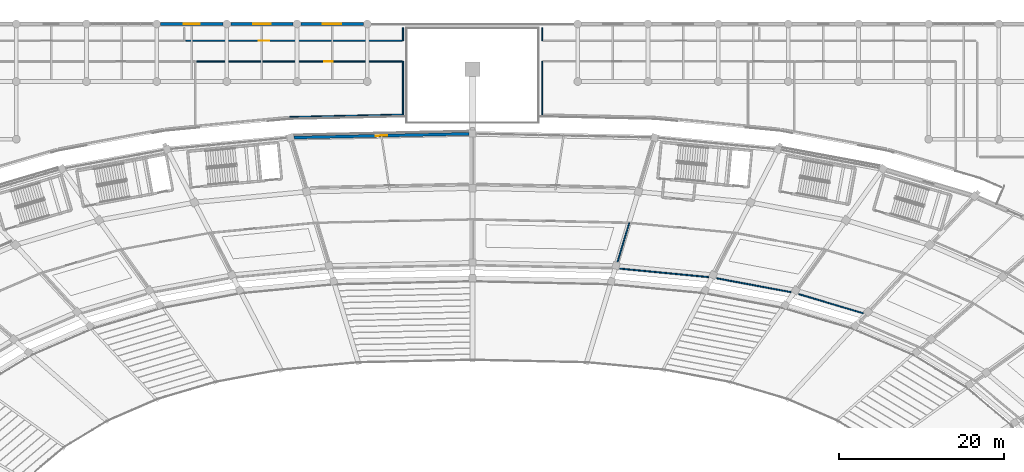
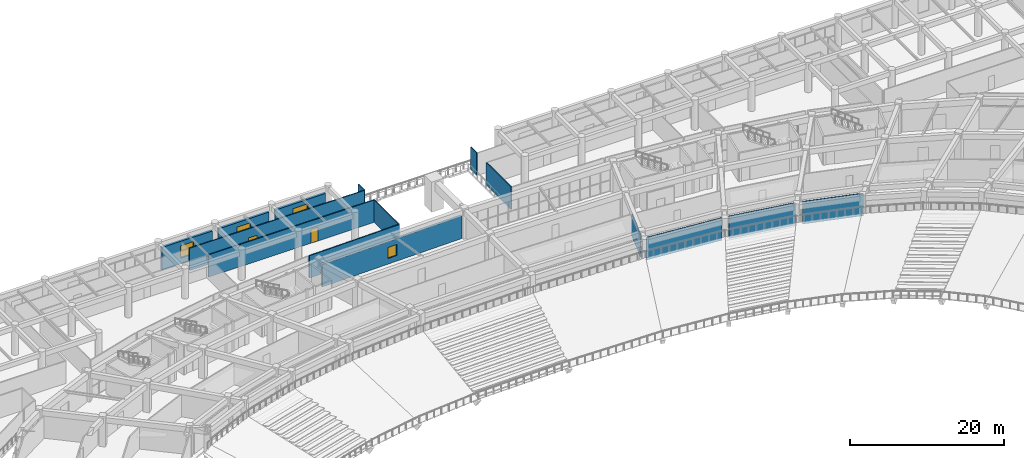
# One storey, part 113 of 152: 15 walls, 4 windows, 2 doors, 6 openings.
"""IFC4 building model written with IfcOpenShell, lengths in metres."""

from ifc_helpers import new_model, si_unit, direction, frame, frame_2d, origin, place, context, subcontext, project, spatial, rectangle, extrude, material, layer, layer_set, type_object, element, fill, save


model = new_model("IFC4")

# Units and contexts
model_context = context("Model", 3, precision=1e-05, world=origin(), true_north=direction((0.0, 1.0)))
body_context = subcontext(model_context, "Body", "Model", "MODEL_VIEW")
ifc_project = project(units=[si_unit("LENGTHUNIT", "METRE"), si_unit("AREAUNIT", "SQUARE_METRE"), si_unit("VOLUMEUNIT", "CUBIC_METRE"), si_unit("PLANEANGLEUNIT", "RADIAN"), si_unit("MASSUNIT", "GRAM", prefix="KILO")], contexts=[model_context])

# Site, building, storey
site_placement = place(None, origin())
site = spatial("IfcSite", under=ifc_project, at=site_placement, CompositionType="ELEMENT")
building_placement = place(site_placement, origin())
building = spatial("IfcBuilding", under=site, at=building_placement, Name="Mphavela Belvedere Stadium", CompositionType="ELEMENT")
storey_placement = place(building_placement, frame((0.0, 0.0, 5.39990234375)))
storey = spatial("IfcBuildingStorey", under=building, at=storey_placement, Name="L01", CompositionType="ELEMENT", Elevation=5.39990234375)

# Wall, opening, window
ifc_material_1 = material(Name="Honed ashlar limestone masonry", Category="masonry")
ifc_layer_1 = layer(ifc_material_1, 0.35009765625)
ifc_layer_set_1 = layer_set([ifc_layer_1], Name="Honed ashlar limestone masonry")
wall_type_1 = type_object("IfcWallType", Name="WAL-EXT-ASHLAR-350", PredefinedType="STANDARD", material=ifc_layer_set_1)
wall_1_placement = place(storey_placement, frame((114.5771484375, 160.660888671875, 0.0), z_axis=(0.0, 0.0, 1.0), x_axis=(-0.999768218464, -0.021529267282, 0.0)))
wall_1 = element("IfcWall", 1, at=wall_1_placement, inside=storey, type_object=wall_type_1, Name="Classical ashlar facade wall L01-13", PredefinedType="STANDARD", context=body_context, shape_type="SweptSolid", body=[
    extrude(rectangle(XDim=21.273681640625, YDim=0.35009765625, at=frame_2d((10.63671875, 0.0))), origin(), (0.0, 0.0, 1.0), 3.570068359375),
])
opening_1_placement = place(wall_1_placement, frame((9.947021484375, 0.0, 0.89990234375)))
opening_1 = element("IfcOpeningElement", 2, at=opening_1_placement, cuts=wall_1, Name="Opening W-014", PredefinedType="OPENING", context=body_context, shape_type="SweptSolid", body=[
    extrude(rectangle(XDim=1.3798828125, YDim=1.75, at=frame_2d((0.68994140625, 0.875))), frame((0.0, 0.18505859375, 0.0), z_axis=(0.0, -1.0, 0.0), x_axis=(1.0, 0.0, 0.0)), (0.0, 0.0, 1.0), 0.3701171875),
])
ifc_material_2 = material(Name="Bronze-anodised thermally broken aluminium window", Category="aluminium")
window_type_1 = type_object("IfcWindowType", Name="WIN-EXT-14", PartitioningType="SINGLE_PANEL", PredefinedType="WINDOW", material=ifc_material_2)
window_1_placement = place(opening_1_placement, origin())
window_1 = element("IfcWindow", 3, at=window_1_placement, inside=storey, type_object=window_type_1, Name="Belvedere gallery window W-014", OverallHeight=1.75, OverallWidth=1.3798828125, PartitioningType="SINGLE_PANEL", PredefinedType="WINDOW", context=body_context, shape_type="SweptSolid", body=[
    extrude(rectangle(XDim=1.3798828125, YDim=1.75, at=frame_2d((0.68994140625, 0.875))), frame((0.0, 0.030029296875, 0.0), z_axis=(0.0, -1.0, 0.0), x_axis=(1.0, 0.0, 0.0)), (0.0, 0.0, 1.0), 0.06005859375),
])
fill(opening_1, window_1)

wall_2_placement = place(storey_placement, frame((77.139892578125, 174.0, 0.0), z_axis=(0.0, 0.0, 1.0), x_axis=(1.0, 0.0, 0.0)))
wall_2 = element("IfcWall", 4, at=wall_2_placement, inside=storey, type_object=wall_type_1, Name="North Mast and Ceremonial End Forecourt outer facade bay L01-10", PredefinedType="STANDARD", context=body_context, shape_type="SweptSolid", body=[
    extrude(rectangle(XDim=7.572021484375, YDim=0.35009765625, at=frame_2d((3.7861328125, 0.0))), origin(), (0.0, 0.0, 1.0), 3.56005859375),
])
opening_2_placement = place(wall_2_placement, frame((2.81591796875, 0.0, 0.89990234375)))
opening_2 = element("IfcOpeningElement", 5, at=opening_2_placement, cuts=wall_2, Name="Opening W-161", PredefinedType="OPENING", context=body_context, shape_type="SweptSolid", body=[
    extrude(rectangle(XDim=1.93994140625, YDim=1.949951171875, at=frame_2d((0.969970703125, 0.97509765625))), frame((0.0, 0.18505859375, 0.0), z_axis=(0.0, -1.0, 0.0), x_axis=(1.0, 0.0, 0.0)), (0.0, 0.0, 1.0), 0.3701171875),
])
ifc_material_3 = material(Name="Bronze-anodised thermally broken aluminium window", Category="aluminium")
window_type_2 = type_object("IfcWindowType", Name="WIN-EXT-29", PartitioningType="SINGLE_PANEL", PredefinedType="WINDOW", material=ifc_material_3)
window_2_placement = place(opening_2_placement, origin())
window_2 = element("IfcWindow", 6, at=window_2_placement, inside=storey, type_object=window_type_2, Name="North Mast and Ceremonial End Forecourt classical window W-161", OverallHeight=1.949951171875, OverallWidth=1.93994140625, PartitioningType="SINGLE_PANEL", PredefinedType="WINDOW", context=body_context, shape_type="SweptSolid", body=[
    extrude(rectangle(XDim=1.93994140625, YDim=1.949951171875, at=frame_2d((0.969970703125, 0.97509765625))), frame((0.0, 0.030029296875, 0.0), z_axis=(0.0, -1.0, 0.0), x_axis=(1.0, 0.0, 0.0)), (0.0, 0.0, 1.0), 0.06005859375),
])
fill(opening_2, window_2)

wall_3_placement = place(storey_placement, frame((85.657958984375, 174.0, 0.0), z_axis=(0.0, 0.0, 1.0), x_axis=(1.0, 0.0, 0.0)))
wall_3 = element("IfcWall", 7, at=wall_3_placement, inside=storey, type_object=wall_type_1, Name="North Mast and Ceremonial End Forecourt outer facade bay L01-11", PredefinedType="STANDARD", context=body_context, shape_type="SweptSolid", body=[
    extrude(rectangle(XDim=7.572998046875, YDim=0.35009765625, at=frame_2d((3.78662109375, 0.0))), origin(), (0.0, 0.0, 1.0), 3.56005859375),
])
opening_3_placement = place(wall_3_placement, frame((2.74658203125, 0.0, 0.89990234375)))
opening_3 = element("IfcOpeningElement", 8, at=opening_3_placement, cuts=wall_3, Name="Opening W-162", PredefinedType="OPENING", context=body_context, shape_type="SweptSolid", body=[
    extrude(rectangle(XDim=2.080078125, YDim=1.949951171875, at=frame_2d((1.0400390625, 0.97509765625))), frame((0.0, 0.18505859375, 0.0), z_axis=(0.0, -1.0, 0.0), x_axis=(1.0, 0.0, 0.0)), (0.0, 0.0, 1.0), 0.3701171875),
])
ifc_material_4 = material(Name="Bronze-anodised thermally broken aluminium window", Category="aluminium")
window_type_3 = type_object("IfcWindowType", Name="WIN-EXT-30", PartitioningType="SINGLE_PANEL", PredefinedType="WINDOW", material=ifc_material_4)
window_3_placement = place(opening_3_placement, origin())
window_3 = element("IfcWindow", 9, at=window_3_placement, inside=storey, type_object=window_type_3, Name="North Mast and Ceremonial End Forecourt classical window W-162", OverallHeight=1.949951171875, OverallWidth=2.080078125, PartitioningType="SINGLE_PANEL", PredefinedType="WINDOW", context=body_context, shape_type="SweptSolid", body=[
    extrude(rectangle(XDim=2.080078125, YDim=1.949951171875, at=frame_2d((1.0400390625, 0.97509765625))), frame((0.0, 0.030029296875, 0.0), z_axis=(0.0, -1.0, 0.0), x_axis=(1.0, 0.0, 0.0)), (0.0, 0.0, 1.0), 0.06005859375),
])
fill(opening_3, window_3)

wall_4_placement = place(storey_placement, frame((94.177001953125, 174.0, 0.0), z_axis=(0.0, 0.0, 1.0), x_axis=(1.0, 0.0, 0.0)))
wall_4 = element("IfcWall", 10, at=wall_4_placement, inside=storey, type_object=wall_type_1, Name="North Mast and Ceremonial End Forecourt outer facade bay L01-12", PredefinedType="STANDARD", context=body_context, shape_type="SweptSolid", body=[
    extrude(rectangle(XDim=7.572021484375, YDim=0.35009765625, at=frame_2d((3.7861328125, 0.0))), origin(), (0.0, 0.0, 1.0), 3.56005859375),
])
opening_4_placement = place(wall_4_placement, frame((2.676025390625, 0.0, 0.89990234375)))
opening_4 = element("IfcOpeningElement", 11, at=opening_4_placement, cuts=wall_4, Name="Opening W-163", PredefinedType="OPENING", context=body_context, shape_type="SweptSolid", body=[
    extrude(rectangle(XDim=2.219970703125, YDim=1.949951171875, at=frame_2d((1.10986328125, 0.97509765625))), frame((0.0, 0.18505859375, 0.0), z_axis=(0.0, -1.0, 0.0), x_axis=(1.0, 0.0, 0.0)), (0.0, 0.0, 1.0), 0.3701171875),
])
ifc_material_5 = material(Name="Bronze-anodised thermally broken aluminium window", Category="aluminium")
window_type_4 = type_object("IfcWindowType", Name="WIN-EXT-31", PartitioningType="SINGLE_PANEL", PredefinedType="WINDOW", material=ifc_material_5)
window_4_placement = place(opening_4_placement, origin())
window_4 = element("IfcWindow", 12, at=window_4_placement, inside=storey, type_object=window_type_4, Name="North Mast and Ceremonial End Forecourt classical window W-163", OverallHeight=1.949951171875, OverallWidth=2.219970703125, PartitioningType="SINGLE_PANEL", PredefinedType="WINDOW", context=body_context, shape_type="SweptSolid", body=[
    extrude(rectangle(XDim=2.219970703125, YDim=1.949951171875, at=frame_2d((1.10986328125, 0.97509765625))), frame((0.0, 0.030029296875, 0.0), z_axis=(0.0, -1.0, 0.0), x_axis=(1.0, 0.0, 0.0)), (0.0, 0.0, 1.0), 0.06005859375),
])
fill(opening_4, window_4)

# Wall, opening, door
ifc_material_6 = material(Name="Acoustic gypsum stud partition assembly")
ifc_layer_2 = layer(ifc_material_6, 0.14990234375)
ifc_layer_set_2 = layer_set([ifc_layer_2], Name="Acoustic gypsum stud partition assembly")
wall_type_2 = type_object("IfcWallType", Name="WAL-PART-150", PredefinedType="PARTITIONING", material=ifc_layer_set_2)
wall_5_placement = place(storey_placement, frame((106.5, 171.9599609375, 0.0), z_axis=(0.0, 0.0, 1.0), x_axis=(-1.0, 0.0, 0.0)))
wall_5 = element("IfcWall", 13, at=wall_5_placement, inside=storey, type_object=wall_type_2, Name="Room L01-178 corridor partition", PredefinedType="PARTITIONING", context=body_context, shape_type="SweptSolid", body=[
    extrude(rectangle(XDim=26.300048828125, YDim=0.14990234375, at=frame_2d((13.14990234375, 0.0))), origin(), (0.0, 0.0, 1.0), 3.550048828125),
])
opening_5_placement = place(wall_5_placement, frame((16.179931640625, 0.0, 0.0)))
opening_5 = element("IfcOpeningElement", 14, at=opening_5_placement, cuts=wall_5, Name="Opening ID-442", PredefinedType="OPENING", context=body_context, shape_type="SweptSolid", body=[
    extrude(rectangle(XDim=1.260009765625, YDim=2.10009765625, at=frame_2d((0.6298828125, 1.050048828125))), frame((0.0, 0.0849609375, 0.0), z_axis=(0.0, -1.0, 0.0), x_axis=(1.0, 0.0, 0.0)), (0.0, 0.0, 1.0), 0.169921875),
])
ifc_material_7 = material(Name="Hardwood acoustic timber doorset", Category="wood")
door_type_1 = type_object("IfcDoorType", Name="DR-INT-10", OperationType="NOTDEFINED", PredefinedType="DOOR", material=ifc_material_7)
door_1_placement = place(opening_5_placement, origin())
door_1 = element("IfcDoor", 15, at=door_1_placement, inside=storey, type_object=door_type_1, Name="Room L01-178 entrance door ID-442", OperationType="SINGLE_SWING_RIGHT", OverallHeight=2.10009765625, OverallWidth=1.260009765625, PredefinedType="DOOR", context=body_context, shape_type="SweptSolid", body=[
    extrude(rectangle(XDim=1.260009765625, YDim=2.10009765625, at=frame_2d((0.6298828125, 1.050048828125))), frame((0.0, 0.02490234375, 0.0), z_axis=(0.0, -1.0, 0.0), x_axis=(1.0, 0.0, 0.0)), (0.0, 0.0, 1.0), 0.050048828125),
])
fill(opening_5, door_1)

wall_6_placement = place(storey_placement, frame((81.554931640625, 169.43994140625, 0.0), z_axis=(0.0, 0.0, 1.0), x_axis=(1.0, 0.0, 0.0)))
wall_6 = element("IfcWall", 16, at=wall_6_placement, inside=storey, type_object=wall_type_2, Name="Room L01-185 corridor partition", PredefinedType="PARTITIONING", context=body_context, shape_type="SweptSolid", body=[
    extrude(rectangle(XDim=24.945068359375, YDim=0.14990234375, at=frame_2d((12.47265625, 0.0))), origin(), (0.0, 0.0, 1.0), 3.550048828125),
])
opening_6_placement = place(wall_6_placement, frame((15.42919921875, 0.0, 0.0)))
opening_6 = element("IfcOpeningElement", 17, at=opening_6_placement, cuts=wall_6, Name="Opening ID-449", PredefinedType="OPENING", context=body_context, shape_type="SweptSolid", body=[
    extrude(rectangle(XDim=1.06005859375, YDim=2.199951171875, at=frame_2d((0.530029296875, 1.10009765625))), frame((0.0, 0.0849609375, 0.0), z_axis=(0.0, -1.0, 0.0), x_axis=(1.0, 0.0, 0.0)), (0.0, 0.0, 1.0), 0.169921875),
])
ifc_material_8 = material(Name="Hardwood acoustic timber doorset", Category="wood")
door_type_2 = type_object("IfcDoorType", Name="DR-INT-17", OperationType="NOTDEFINED", PredefinedType="DOOR", material=ifc_material_8)
door_2_placement = place(opening_6_placement, origin())
door_2 = element("IfcDoor", 18, at=door_2_placement, inside=storey, type_object=door_type_2, Name="Room L01-185 entrance door ID-449", OperationType="SINGLE_SWING_LEFT", OverallHeight=2.199951171875, OverallWidth=1.06005859375, PredefinedType="DOOR", context=body_context, shape_type="SweptSolid", body=[
    extrude(rectangle(XDim=1.06005859375, YDim=2.199951171875, at=frame_2d((0.530029296875, 1.10009765625))), frame((0.0, 0.02490234375, 0.0), z_axis=(0.0, -1.0, 0.0), x_axis=(1.0, 0.0, 0.0)), (0.0, 0.0, 1.0), 0.050048828125),
])
fill(opening_6, door_2)

# Walls
wall_7_placement = place(storey_placement, frame((162.426513671875, 138.878173828125, 0.0), z_axis=(0.0, 0.0, 1.0), x_axis=(-0.95866142128, 0.284549256457, 0.0)))
element("IfcWall", 19, at=wall_7_placement, inside=storey, type_object=wall_type_2, Name="Room divider partition L01-0169", PredefinedType="PARTITIONING", context=body_context, shape_type="SweptSolid", body=[
    extrude(rectangle(XDim=8.15087890625, YDim=0.14990234375, at=frame_2d((4.075439453125, 0.0))), origin(), (0.0, 0.0, 1.0), 3.550048828125),
])
wall_8_placement = place(storey_placement, frame((153.67919921875, 141.438720703125, 0.0), z_axis=(0.0, 0.0, 1.0), x_axis=(-0.983094403703, 0.18309940854, 0.0)))
element("IfcWall", 20, at=wall_8_placement, inside=storey, type_object=wall_type_2, Name="Room divider partition L01-0171", PredefinedType="PARTITIONING", context=body_context, shape_type="SweptSolid", body=[
    extrude(rectangle(XDim=9.198974609375, YDim=0.14990234375, at=frame_2d((4.599609375, 0.0))), origin(), (0.0, 0.0, 1.0), 3.550048828125),
])
wall_9_placement = place(storey_placement, frame((143.676025390625, 143.26904296875, 0.0), z_axis=(0.0, 0.0, 1.0), x_axis=(-0.995483110957, 0.094938800289, 0.0)))
element("IfcWall", 21, at=wall_9_placement, inside=storey, type_object=wall_type_2, Name="Room divider partition L01-0173", PredefinedType="PARTITIONING", context=body_context, shape_type="SweptSolid", body=[
    extrude(rectangle(XDim=10.83642578125, YDim=0.14990234375, at=frame_2d((5.418212890625, 0.0))), origin(), (0.0, 0.0, 1.0), 3.550048828125),
])
wall_10_placement = place(storey_placement, frame((132.603515625, 145.12451171875, 0.0), z_axis=(0.0, 0.0, 1.0), x_axis=(0.289211860613, 0.957265114626, 0.0)))
element("IfcWall", 22, at=wall_10_placement, inside=storey, type_object=wall_type_2, Name="Room divider partition L01-0174", PredefinedType="PARTITIONING", context=body_context, shape_type="SweptSolid", body=[
    extrude(rectangle(XDim=4.94921875, YDim=0.14990234375, at=frame_2d((2.474609375, 0.0))), origin(), (0.0, 0.0, 1.0), 3.550048828125),
])
for number, where, z_axis, x_axis, name in (
    (23, (106.550048828125, 173.550048828125, 0.0), (0.0, 0.0, 1.0), (0.0, -1.0, 0.0), "Room divider partition L01-0956"),
    (24, (123.449951171875, 171.951904296875, 0.0), (0.0, 0.0, 1.0), (0.0, 1.0, 0.0), "Room divider partition L01-0957"),
):
    element("IfcWall", number, at=place(storey_placement, frame(where, z_axis=z_axis, x_axis=x_axis)), inside=storey, type_object=wall_type_2, Name=name, PredefinedType="PARTITIONING", context=body_context, shape_type="SweptSolid", body=[
        extrude(rectangle(XDim=1.59814453125, YDim=0.14990234375, at=frame_2d((0.799072265625, 0.0))), origin(), (0.0, 0.0, 1.0), 3.550048828125),
    ])
wall_11_placement = place(storey_placement, frame((106.550048828125, 169.4482421875, 0.0), z_axis=(0.0, 0.0, 1.0), x_axis=(0.0, -1.0, 0.0)))
element("IfcWall", 25, at=wall_11_placement, inside=storey, type_object=wall_type_2, Name="Room divider partition L01-0978", PredefinedType="PARTITIONING", context=body_context, shape_type="SweptSolid", body=[
    extrude(rectangle(XDim=6.459716796875, YDim=0.14990234375, at=frame_2d((3.22998046875, 0.0))), origin(), (0.0, 0.0, 1.0), 3.550048828125),
])
wall_12_placement = place(storey_placement, frame((106.550048828125, 162.988525390625, 0.0), z_axis=(0.0, 0.0, 1.0), x_axis=(-0.999768230535, -0.021528706714, 0.0)))
element("IfcWall", 26, at=wall_12_placement, inside=storey, type_object=wall_type_2, Name="Room divider partition L01-0979", PredefinedType="PARTITIONING", context=body_context, shape_type="SweptSolid", body=[
    extrude(rectangle(XDim=13.7216796875, YDim=0.14990234375, at=frame_2d((6.86083984375, 0.0))), origin(), (0.0, 0.0, 1.0), 3.550048828125),
])
wall_13_placement = place(storey_placement, frame((123.449951171875, 162.988525390625, 0.0), z_axis=(0.0, 0.0, 1.0), x_axis=(0.0, 1.0, 0.0)))
element("IfcWall", 27, at=wall_13_placement, inside=storey, type_object=wall_type_2, Name="Room divider partition L01-0981", PredefinedType="PARTITIONING", context=body_context, shape_type="SweptSolid", body=[
    extrude(rectangle(XDim=6.459716796875, YDim=0.14990234375, at=frame_2d((3.22998046875, 0.0))), origin(), (0.0, 0.0, 1.0), 3.550048828125),
])

save(model, "model.ifc")
